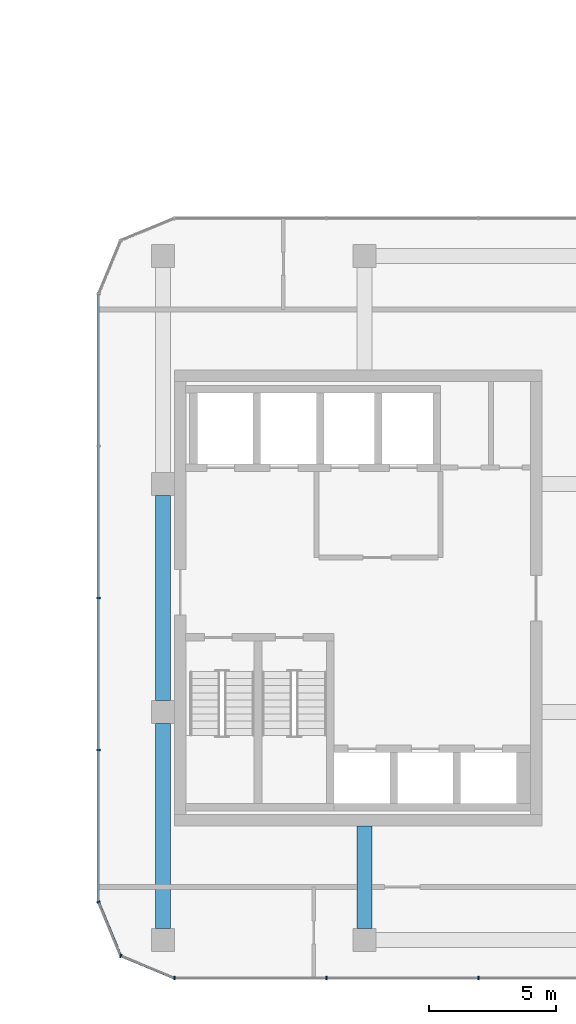
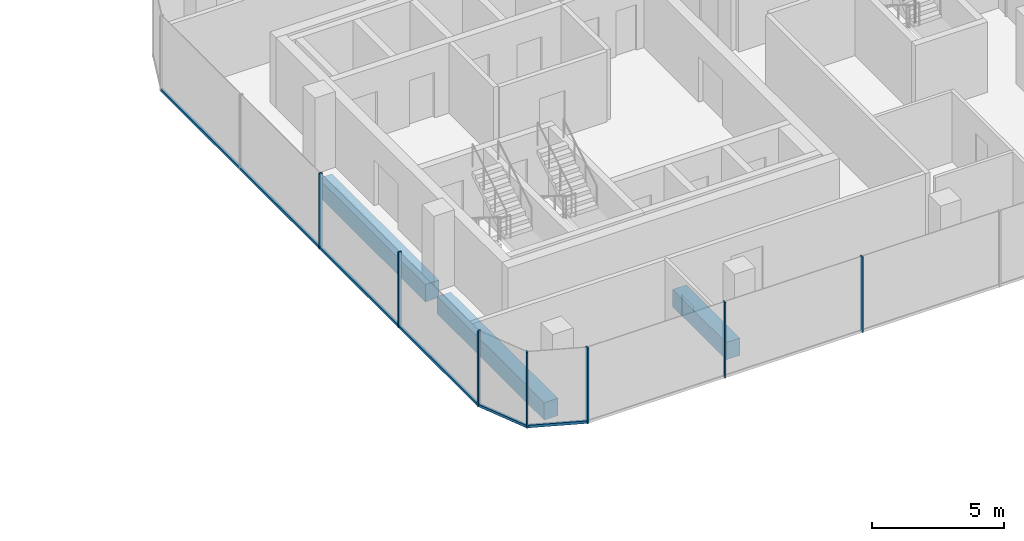
# One storey, part 7 of 22: 10 members, 3 beams, 4 elements without a shape of their own.
"""IFC4 building model written with IfcOpenShell, lengths in metres."""

from ifc_helpers import new_model, si_unit, direction, frame, origin, origin_2d, place, context, subcontext, project, spatial, rectangle, extrude, material, layer, layer_set, material_profile, profile_set, type_object, element, aggregate, save


model = new_model("IFC4")

# Units and contexts
model_context = context("Model", 3, precision=1e-05, world=origin(), true_north=direction((0.0, 1.0)))
body_context = subcontext(model_context, "Body", "Model", "MODEL_VIEW")
ifc_project = project(units=[si_unit("LENGTHUNIT", "METRE"), si_unit("AREAUNIT", "SQUARE_METRE"), si_unit("VOLUMEUNIT", "CUBIC_METRE"), si_unit("PLANEANGLEUNIT", "RADIAN"), si_unit("MASSUNIT", "GRAM", prefix="KILO")], contexts=[model_context])

# Site, building, storey
site_placement = place(None, origin())
site = spatial("IfcSite", under=ifc_project, at=site_placement, CompositionType="ELEMENT")
building_placement = place(site_placement, origin())
building = spatial("IfcBuilding", under=site, at=building_placement, Name="Plateau Cross Towers", CompositionType="ELEMENT")
storey_placement = place(building_placement, frame((0.0, 0.0, 65.300048828125)))
storey = spatial("IfcBuildingStorey", under=building, at=storey_placement, Name="L16", CompositionType="ELEMENT", Elevation=65.300048828125)

# Beam
ifc_material_1 = material(Name="Concrete C60/75", Category="concrete")
ifc_material_profile_1 = material_profile(ifc_material_1, rectangle(XDim=0.60009765625, YDim=0.800048828125, at=origin_2d()), Name="RC 600x800")
ifc_profile_set_1 = profile_set([ifc_material_profile_1], Name="Concrete C60/75")
beam_type_1 = type_object("IfcBeamType", Name="Core beam RC 600x800", PredefinedType="BEAM", material=ifc_profile_set_1)
beam_placement = place(storey_placement, frame((82.5, 0.0, -0.650146484375), z_axis=(0.0, -1.0, 0.0), x_axis=(1.0, 0.0, 0.0)))
element("IfcBeam", 1, at=beam_placement, inside=storey, type_object=beam_type_1, Name="B-CB01@L16", PredefinedType="BEAM", context=body_context, shape_type="SweptSolid", body=[
    extrude(rectangle(XDim=0.60009765625, YDim=0.800048828125, at=origin_2d()), origin(), (0.0, 0.0, 1.0), 4.050048828125),
])

# Curtain wall, members
ifc_material_2 = material(Name="Dark low-iron glass", Category="glass")
ifc_layer = layer(ifc_material_2, 0.239990234375)
ifc_layer_set = layer_set([ifc_layer], Name="Dark low-iron glass")
curtain_wall_type = type_object("IfcCurtainWallType", Name="Curtain wall office unitised CW-F", PredefinedType="NOTDEFINED", material=ifc_layer_set)
curtain_wall_1_placement = place(storey_placement, origin())
curtain_wall_1 = element("IfcCurtainWall", 2, at=curtain_wall_1_placement, inside=storey, type_object=curtain_wall_type, Name="ENV/B/L16/B750_-60", PredefinedType="NOTDEFINED")
ifc_material_3 = material(Name="Black anodised aluminium", Category="aluminium")
ifc_material_profile_2 = material_profile(ifc_material_3, rectangle(XDim=0.06005859375, YDim=0.139892578125, at=origin_2d()), Name="MULLION 60x140")
ifc_profile_set_2 = profile_set([ifc_material_profile_2], Name="Black anodised aluminium")
member_type_1 = type_object("IfcMemberType", Name="Mullion 60x140 office unitised", PredefinedType="MULLION", material=ifc_profile_set_2)
member_1_placement = place(storey_placement, frame((75.0, -6.0, -0.25), z_axis=(0.0, 0.0, 1.0), x_axis=(1.0, 0.0, 0.0)))
member_1 = element("IfcMember", 3, at=member_1_placement, type_object=member_type_1, Name="CW-F mullion 1", PredefinedType="MULLION", context=body_context, shape_type="SweptSolid", body=[
    extrude(rectangle(XDim=0.06005859375, YDim=0.139892578125, at=origin_2d()), origin(), (0.0, 0.0, 1.0), 3.5),
])
member_2_placement = place(storey_placement, frame((81.0, -6.0, -0.25), z_axis=(0.0, 0.0, 1.0), x_axis=(1.0, 0.0, 0.0)))
member_2 = element("IfcMember", 4, at=member_2_placement, type_object=member_type_1, Name="CW-F mullion 2", PredefinedType="MULLION", context=body_context, shape_type="SweptSolid", body=[
    extrude(rectangle(XDim=0.06005859375, YDim=0.139892578125, at=origin_2d()), origin(), (0.0, 0.0, 1.0), 3.5),
])
member_3_placement = place(storey_placement, frame((87.0, -6.0, -0.25), z_axis=(0.0, 0.0, 1.0), x_axis=(1.0, 0.0, 0.0)))
member_3 = element("IfcMember", 5, at=member_3_placement, type_object=member_type_1, Name="CW-F mullion 3", PredefinedType="MULLION", context=body_context, shape_type="SweptSolid", body=[
    extrude(rectangle(XDim=0.06005859375, YDim=0.139892578125, at=origin_2d()), origin(), (0.0, 0.0, 1.0), 3.5),
])
aggregate(curtain_wall_1, [member_1, member_2, member_3])

curtain_wall_2_placement = place(storey_placement, origin())
curtain_wall_2 = element("IfcCurtainWall", 6, at=curtain_wall_2_placement, inside=storey, type_object=curtain_wall_type, Name="ENV/B/L16/B720_210", PredefinedType="NOTDEFINED")
member_4_placement = place(storey_placement, frame((72.0, 9.0, -0.25), z_axis=(0.0, 0.0, 1.0), x_axis=(0.0, -1.0, 0.0)))
member_4 = element("IfcMember", 7, at=member_4_placement, type_object=member_type_1, Name="CW-F mullion 3", PredefinedType="MULLION", context=body_context, shape_type="SweptSolid", body=[
    extrude(rectangle(XDim=0.06005859375, YDim=0.139892578125, at=origin_2d()), origin(), (0.0, 0.0, 1.0), 3.5),
])
member_5_placement = place(storey_placement, frame((72.0, 3.0, -0.25), z_axis=(0.0, 0.0, 1.0), x_axis=(0.0, -1.0, 0.0)))
member_5 = element("IfcMember", 8, at=member_5_placement, type_object=member_type_1, Name="CW-F mullion 4", PredefinedType="MULLION", context=body_context, shape_type="SweptSolid", body=[
    extrude(rectangle(XDim=0.06005859375, YDim=0.139892578125, at=origin_2d()), origin(), (0.0, 0.0, 1.0), 3.5),
])

# Curtain wall, member
curtain_wall_3_placement = place(storey_placement, origin())
curtain_wall_3 = element("IfcCurtainWall", 9, at=curtain_wall_3_placement, inside=storey, type_object=curtain_wall_type, Name="ENV/B/L16/B720_-30", PredefinedType="NOTDEFINED")
member_6_placement = place(storey_placement, frame((72.0, -3.0, -0.25), z_axis=(0.0, 0.0, 1.0), x_axis=(0.382683612978, -0.923879457699, 0.0)))
member_6 = element("IfcMember", 10, at=member_6_placement, type_object=member_type_1, Name="CW-F mullion 1", PredefinedType="MULLION", context=body_context, shape_type="SweptSolid", body=[
    extrude(rectangle(XDim=0.06005859375, YDim=0.139892578125, at=origin_2d()), origin(), (0.0, 0.0, 1.0), 3.5),
])

curtain_wall_4_placement = place(storey_placement, origin())
curtain_wall_4 = element("IfcCurtainWall", 11, at=curtain_wall_4_placement, inside=storey, type_object=curtain_wall_type, Name="ENV/B/L16/B729_-51", PredefinedType="NOTDEFINED")
member_7_placement = place(storey_placement, frame((72.878662109375, -5.121337890625, -0.25), z_axis=(0.0, 0.0, 1.0), x_axis=(0.923879457699, -0.382683612978, 0.0)))
member_7 = element("IfcMember", 12, at=member_7_placement, type_object=member_type_1, Name="CW-F mullion 1", PredefinedType="MULLION", context=body_context, shape_type="SweptSolid", body=[
    extrude(rectangle(XDim=0.06005859375, YDim=0.139892578125, at=origin_2d()), origin(), (0.0, 0.0, 1.0), 3.5),
])

# Beams
ifc_material_profile_3 = material_profile(ifc_material_1, rectangle(XDim=0.60009765625, YDim=0.800048828125, at=origin_2d()), Name="RC 600x800")
ifc_profile_set_3 = profile_set([ifc_material_profile_3], Name="Concrete C60/75")
beam_type_2 = type_object("IfcBeamType", Name="Ring beam RC 600x800", PredefinedType="BEAM", material=ifc_profile_set_3)
for number, where, z_axis, x_axis, name in (
    (13, (74.550048828125, 13.050048828125, -0.650146484375), (0.0, -1.0, 0.0), (1.0, 0.0, 0.0), "B-RB09@L16"),
    (14, (74.550048828125, 4.050048828125, -0.650146484375), (0.0, -1.0, 0.0), (1.0, 0.0, 0.0), "B-RB10@L16"),
):
    element("IfcBeam", number, at=place(storey_placement, frame(where, z_axis=z_axis, x_axis=x_axis)), inside=storey, type_object=beam_type_2, Name=name, PredefinedType="BEAM", context=body_context, shape_type="SweptSolid", body=[
        extrude(rectangle(XDim=0.60009765625, YDim=0.800048828125, at=origin_2d()), origin(), (0.0, 0.0, 1.0), 8.10009765625),
    ])

# Member
ifc_material_profile_4 = material_profile(ifc_material_3, rectangle(XDim=0.10009765625, YDim=0.1201171875, at=origin_2d()), Name="TRANSOM 100x120")
ifc_profile_set_4 = profile_set([ifc_material_profile_4], Name="Black anodised aluminium")
member_type_2 = type_object("IfcMemberType", Name="Transom 100x120 office unitised", PredefinedType="USERDEFINED", material=ifc_profile_set_4)
member_8_placement = place(storey_placement, frame((72.0, 21.0, -0.18994140625), z_axis=(0.0, -1.0, 0.0), x_axis=(1.0, 0.0, 0.0)))
member_8 = element("IfcMember", 15, at=member_8_placement, type_object=member_type_2, Name="CW-F transom", ObjectType="TRANSOM", PredefinedType="USERDEFINED", context=body_context, shape_type="SweptSolid", body=[
    extrude(rectangle(XDim=0.10009765625, YDim=0.1201171875, at=origin_2d()), origin(), (0.0, 0.0, 1.0), 24.0),
])

aggregate(curtain_wall_2, [member_4, member_5, member_8])

member_9_placement = place(storey_placement, frame((72.0, -3.0, -0.18994140625), z_axis=(0.382674207535, -0.923883353507, 0.0), x_axis=(0.923883353507, 0.382674207535, 0.0)))
member_9 = element("IfcMember", 16, at=member_9_placement, type_object=member_type_2, Name="CW-F transom", ObjectType="TRANSOM", PredefinedType="USERDEFINED", context=body_context, shape_type="SweptSolid", body=[
    extrude(rectangle(XDim=0.10009765625, YDim=0.1201171875, at=origin_2d()), origin(), (0.0, 0.0, 1.0), 2.296142578125),
])

aggregate(curtain_wall_3, [member_6, member_9])

member_10_placement = place(storey_placement, frame((72.878662109375, -5.121337890625, -0.18994140625), z_axis=(0.923883353507, -0.382674207535, 0.0), x_axis=(0.382674207535, 0.923883353507, 0.0)))
member_10 = element("IfcMember", 17, at=member_10_placement, type_object=member_type_2, Name="CW-F transom", ObjectType="TRANSOM", PredefinedType="USERDEFINED", context=body_context, shape_type="SweptSolid", body=[
    extrude(rectangle(XDim=0.10009765625, YDim=0.1201171875, at=origin_2d()), origin(), (0.0, 0.0, 1.0), 2.296142578125),
])

aggregate(curtain_wall_4, [member_7, member_10])

save(model, "model.ifc")
